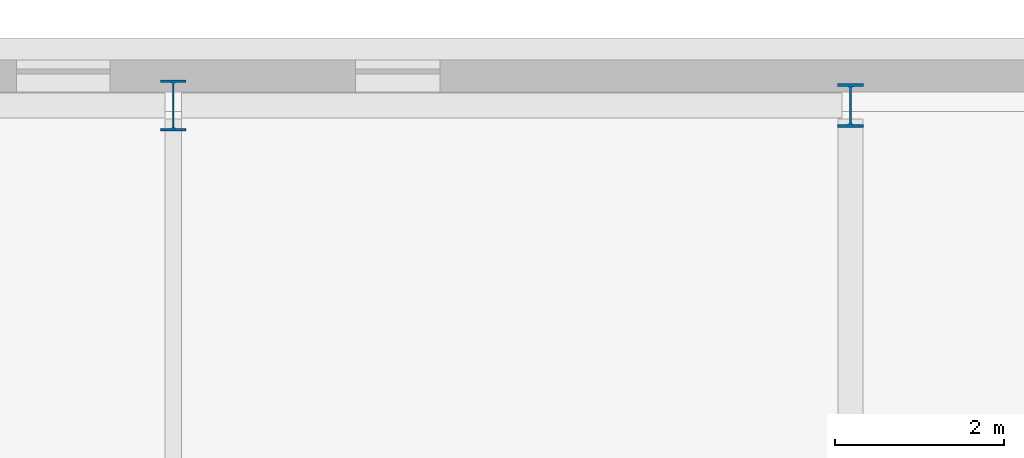
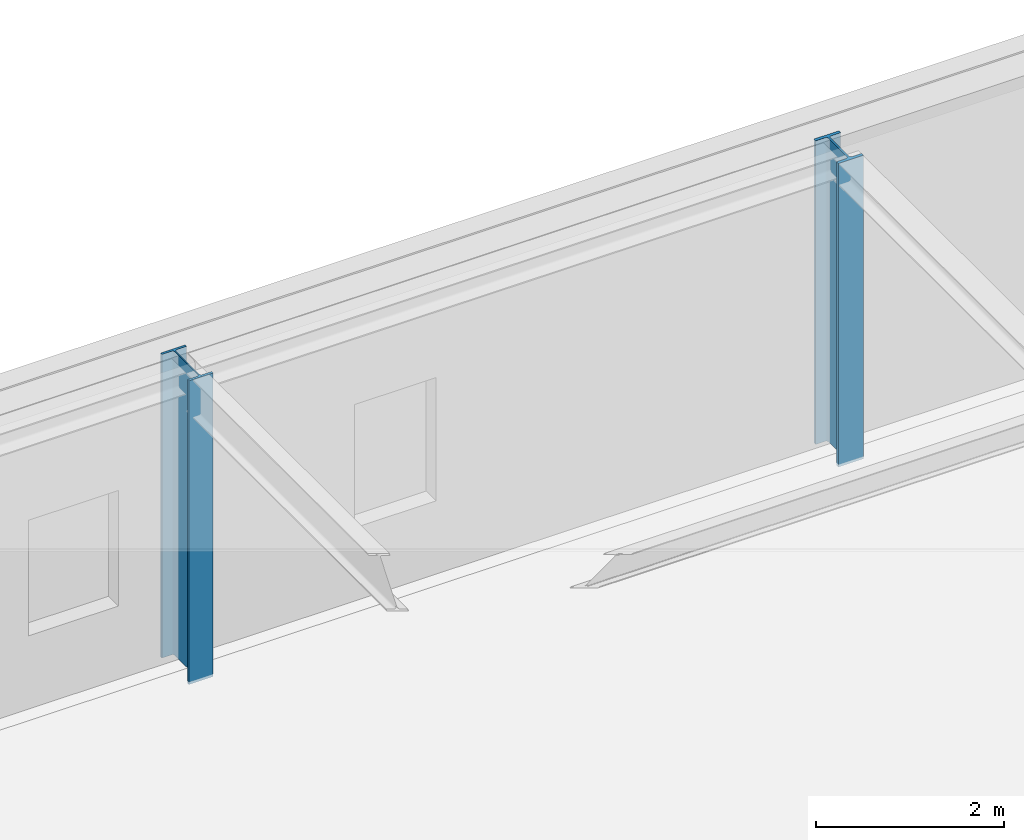
# One storey, part 13 of 148: 2 columns.
"""IFC4 building model written with IfcOpenShell, lengths in metres."""

from ifc_helpers import new_model, si_unit, direction, frame, origin, origin_2d, place, context, subcontext, project, spatial, i_section, extrude, material, material_profile, profile_set, type_object, element, save


model = new_model("IFC4")

# Units and contexts
model_context = context("Model", 3, precision=1e-05, world=origin(), true_north=direction((0.0, 1.0)))
body_context = subcontext(model_context, "Body", "Model", "MODEL_VIEW")
ifc_project = project(units=[si_unit("LENGTHUNIT", "METRE"), si_unit("AREAUNIT", "SQUARE_METRE"), si_unit("VOLUMEUNIT", "CUBIC_METRE"), si_unit("PLANEANGLEUNIT", "RADIAN"), si_unit("MASSUNIT", "GRAM", prefix="KILO"), si_unit("THERMODYNAMICTEMPERATUREUNIT", "KELVIN"), si_unit("POWERUNIT", "WATT")], contexts=[model_context])

# Site, building, storey
site_placement = place(None, origin())
site = spatial("IfcSite", under=ifc_project, at=site_placement, CompositionType="ELEMENT")
building_placement = place(site_placement, origin())
building = spatial("IfcBuilding", under=site, at=building_placement, Name="Solvatero Civic Police Headquarters", CompositionType="ELEMENT")
storey_placement = place(building_placement, frame((0.0, 0.0, 5.10009765625)))
storey = spatial("IfcBuildingStorey", under=building, at=storey_placement, Name="L01", CompositionType="ELEMENT", Elevation=5.10009765625)

# Columns
ifc_material = material(Name="Steel S355", Category="steel")
ifc_material_profile_1 = material_profile(ifc_material, i_section(OverallWidth=0.300048828125, OverallDepth=0.60009765625, WebThickness=0.015380859375, FlangeThickness=0.030029296875, FilletRadius=0.027099609375, at=origin_2d()), Name="HEB 600")
ifc_profile_set_1 = profile_set([ifc_material_profile_1], Name="Steel S355")
column_type_1 = type_object("IfcColumnType", Name="COL-ST-HEB600", PredefinedType="COLUMN", material=ifc_profile_set_1)
column_1_placement = place(storey_placement, frame((72.0, 116.550048828125, 0.0), z_axis=(0.0, 0.0, 1.0), x_axis=(1.0, 0.0, 0.0)))
element("IfcColumn", 1, at=column_1_placement, inside=storey, type_object=column_type_1, Name="Column V7-X6Y3 L01", PredefinedType="COLUMN", context=body_context, shape_type="SweptSolid", body=[
    extrude(i_section(OverallWidth=0.300048828125, OverallDepth=0.60009765625, WebThickness=0.015380859375, FlangeThickness=0.030029296875, FilletRadius=0.027099609375, at=origin_2d()), origin(), (0.0, 0.0, 1.0), 3.93994140625),
])
ifc_material_profile_2 = material_profile(ifc_material, i_section(OverallWidth=0.305908203125, OverallDepth=0.52392578125, WebThickness=0.02099609375, FlangeThickness=0.0400390625, FilletRadius=0.027099609375, at=origin_2d()), Name="HEM 500")
ifc_profile_set_2 = profile_set([ifc_material_profile_2], Name="Steel S355")
column_type_2 = type_object("IfcColumnType", Name="COL-ST-HEM500", PredefinedType="COLUMN", material=ifc_profile_set_2)
column_2_placement = place(storey_placement, frame((80.0, 116.550048828125, 0.0), z_axis=(0.0, 0.0, 1.0), x_axis=(1.0, 0.0, 0.0)))
element("IfcColumn", 2, at=column_2_placement, inside=storey, type_object=column_type_2, Name="Column V7-X7Y3 L01", PredefinedType="COLUMN", context=body_context, shape_type="SweptSolid", body=[
    extrude(i_section(OverallWidth=0.305908203125, OverallDepth=0.52392578125, WebThickness=0.02099609375, FlangeThickness=0.0400390625, FilletRadius=0.027099609375, at=origin_2d()), origin(), (0.0, 0.0, 1.0), 3.93994140625),
])

save(model, "model.ifc")
